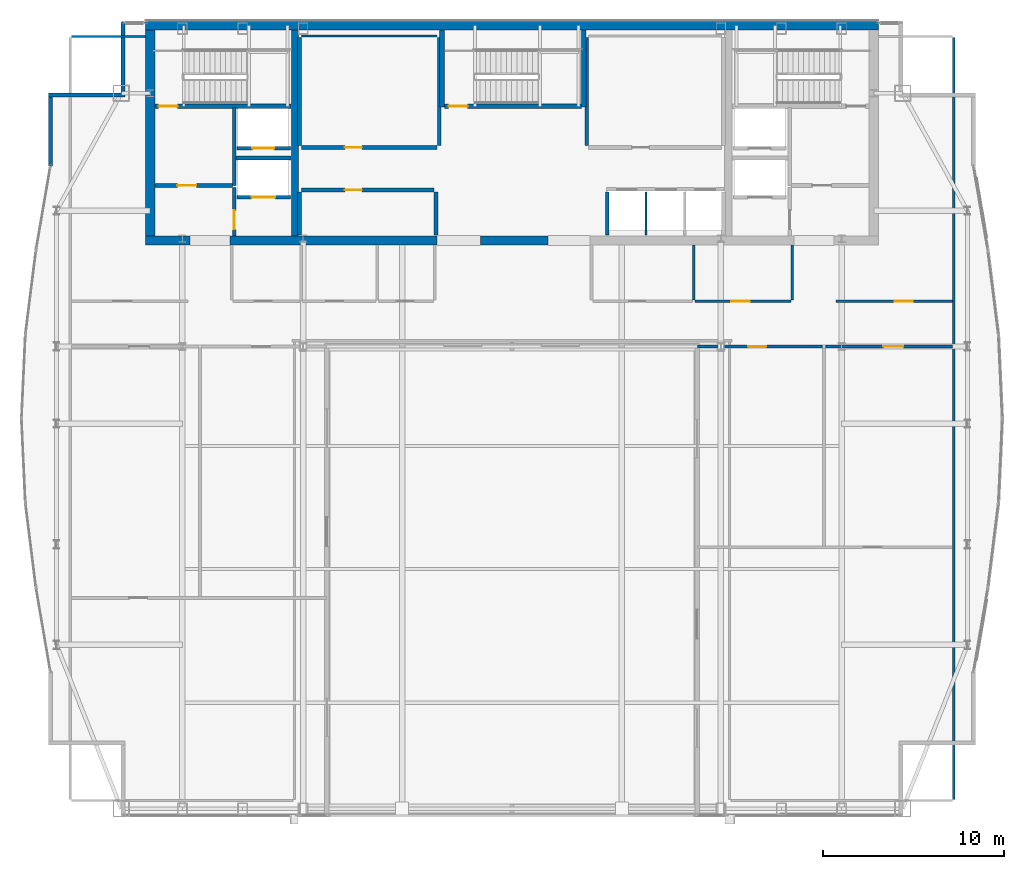
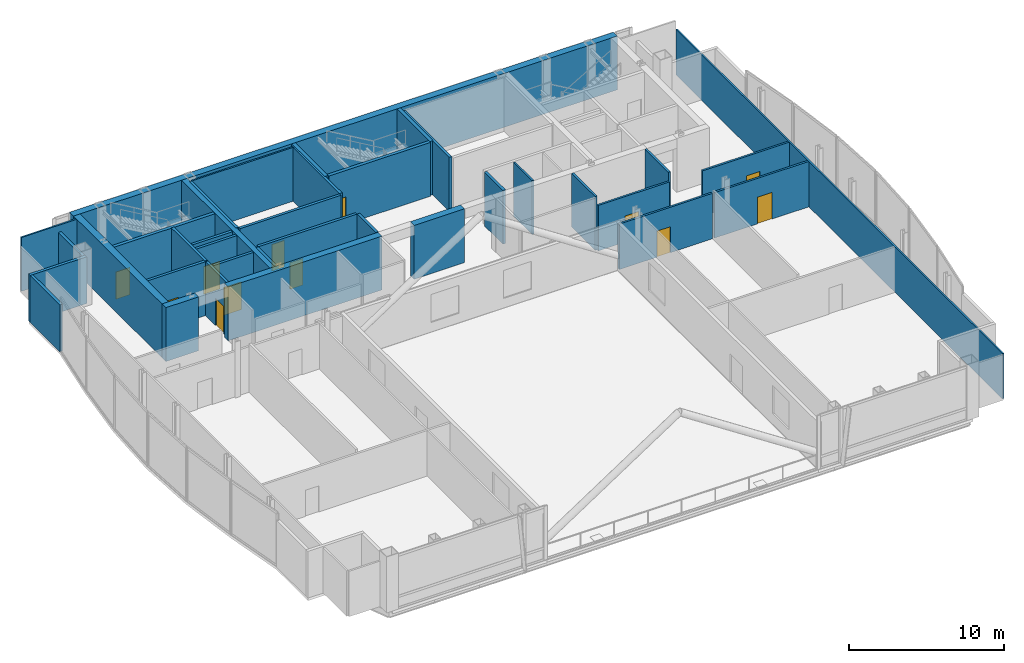
# One storey, part 23 of 27: 37 walls, 12 doors, 12 openings.
"""IFC4 building model written with IfcOpenShell, lengths in metres."""

from ifc_helpers import new_model, si_unit, direction, frame, frame_2d, origin, place, context, subcontext, project, spatial, rectangle, extrude, material, layer, layer_set, type_object, element, fill, save


model = new_model("IFC4")

# Units and contexts
model_context = context("Model", 3, precision=1e-05, world=origin(), true_north=direction((0.0, 1.0)))
body_context = subcontext(model_context, "Body", "Model", "MODEL_VIEW")
ifc_project = project(units=[si_unit("LENGTHUNIT", "METRE"), si_unit("AREAUNIT", "SQUARE_METRE"), si_unit("VOLUMEUNIT", "CUBIC_METRE"), si_unit("PLANEANGLEUNIT", "RADIAN"), si_unit("MASSUNIT", "GRAM", prefix="KILO")], contexts=[model_context])

# Site, building, storey
site_placement = place(None, origin())
site = spatial("IfcSite", under=ifc_project, at=site_placement, CompositionType="ELEMENT")
building_placement = place(site_placement, origin())
building = spatial("IfcBuilding", under=site, at=building_placement, Name="Khoronbel Lancet Exchange", CompositionType="ELEMENT")
storey_placement = place(building_placement, frame((0.0, 0.0, 305.800048828125)))
storey = spatial("IfcBuildingStorey", under=building, at=storey_placement, Name="L79", CompositionType="ELEMENT", Elevation=305.800048828125)

# Walls
ifc_material_1 = material(Name="Concrete C60/75", Category="concrete")
ifc_layer_1 = layer(ifc_material_1, 0.5, Name="Concrete C60/75")
ifc_layer_set_1 = layer_set([ifc_layer_1], Name="Concrete C60/75")
wall_type_1 = type_object("IfcWallType", Name="WL-CW4", PredefinedType="SHEAR", material=ifc_layer_set_1)
wall_1_placement = place(storey_placement, frame((16.199951171875, 53.449951171875, 0.0), z_axis=(0.0, 0.0, 1.0), x_axis=(1.0, 0.0, 0.0)))
element("IfcWall", 1, at=wall_1_placement, inside=storey, type_object=wall_type_1, Name="Level L79 rear core north shear wall", PredefinedType="SHEAR", context=body_context, shape_type="SweptSolid", body=[
    extrude(rectangle(XDim=40.5, YDim=0.5, at=frame_2d((20.25, 0.0))), origin(), (0.0, 0.0, 1.0), 4.239990234375),
])
wall_2_placement = place(storey_placement, frame((16.449951171875, 41.800048828125, 0.0), z_axis=(0.0, 0.0, 1.0), x_axis=(0.0, 1.0, 0.0)))
element("IfcWall", 2, at=wall_2_placement, inside=storey, type_object=wall_type_1, Name="Level L79 rear core west shear wall", PredefinedType="SHEAR", context=body_context, shape_type="SweptSolid", body=[
    extrude(rectangle(XDim=11.39990234375, YDim=0.5, at=frame_2d((5.699951171875, 0.0))), origin(), (0.0, 0.0, 1.0), 4.239990234375),
])
wall_3_placement = place(storey_placement, frame((18.64990234375, 41.550048828125, 0.0), z_axis=(0.0, 0.0, 1.0), x_axis=(-1.0, 0.0, 0.0)))
element("IfcWall", 3, at=wall_3_placement, inside=storey, type_object=wall_type_1, Name="Level L79 rear core south shear wall pier P1", PredefinedType="SHEAR", context=body_context, shape_type="SweptSolid", body=[
    extrude(rectangle(XDim=2.449951171875, YDim=0.5, at=frame_2d((1.22509765625, 0.0))), origin(), (0.0, 0.0, 1.0), 4.239990234375),
])
wall_4_placement = place(storey_placement, frame((32.300048828125, 41.550048828125, 0.0), z_axis=(0.0, 0.0, 1.0), x_axis=(-1.0, 0.0, 0.0)))
element("IfcWall", 4, at=wall_4_placement, inside=storey, type_object=wall_type_1, Name="Level L79 rear core south shear wall pier P2", PredefinedType="SHEAR", context=body_context, shape_type="SweptSolid", body=[
    extrude(rectangle(XDim=11.449951171875, YDim=0.5, at=frame_2d((5.72509765625, 0.0))), origin(), (0.0, 0.0, 1.0), 4.239990234375),
])
wall_5_placement = place(storey_placement, frame((38.449951171875, 41.550048828125, 0.0), z_axis=(0.0, 0.0, 1.0), x_axis=(-1.0, 0.0, 0.0)))
element("IfcWall", 5, at=wall_5_placement, inside=storey, type_object=wall_type_1, Name="Level L79 rear core south shear wall pier P3", PredefinedType="SHEAR", context=body_context, shape_type="SweptSolid", body=[
    extrude(rectangle(XDim=3.75, YDim=0.5, at=frame_2d((1.875, 0.0))), origin(), (0.0, 0.0, 1.0), 4.239990234375),
])
ifc_material_2 = material(Name="Precast concrete C40/50", Category="concrete")
ifc_layer_2 = layer(ifc_material_2, 0.25, Name="Precast concrete C40/50")
ifc_layer_set_2 = layer_set([ifc_layer_2], Name="Precast concrete C40/50")
wall_type_2 = type_object("IfcWallType", Name="WL-EXT250", PredefinedType="SOLIDWALL", material=ifc_layer_set_2)
wall_6_placement = place(storey_placement, frame((10.93994140625, 45.67236328125, 0.0), z_axis=(0.0, 0.0, 1.0), x_axis=(0.0, 1.0, 0.0)))
element("IfcWall", 6, at=wall_6_placement, inside=storey, type_object=wall_type_2, Name="Level L79 notched-corner limestone pier 10", PredefinedType="SOLIDWALL", context=body_context, shape_type="SweptSolid", body=[
    extrude(rectangle(XDim=3.82763671875, YDim=0.219970703125, at=frame_2d((1.913818359375, 0.0))), origin(), (0.0, 0.0, 1.0), 3.679931640625),
])
wall_7_placement = place(storey_placement, frame((10.830078125, 49.610107421875, 0.0), z_axis=(0.0, 0.0, 1.0), x_axis=(1.0, 0.0, 0.0)))
element("IfcWall", 7, at=wall_7_placement, inside=storey, type_object=wall_type_2, Name="Level L79 notched-corner limestone pier 11", PredefinedType="SOLIDWALL", context=body_context, shape_type="SweptSolid", body=[
    extrude(rectangle(XDim=4.219970703125, YDim=0.219970703125, at=frame_2d((2.10986328125, 0.0))), origin(), (0.0, 0.0, 1.0), 3.679931640625),
])
wall_8_placement = place(storey_placement, frame((14.93994140625, 49.719970703125, 0.0), z_axis=(0.0, 0.0, 1.0), x_axis=(0.0, 1.0, 0.0)))
element("IfcWall", 8, at=wall_8_placement, inside=storey, type_object=wall_type_2, Name="Level L79 notched-corner limestone pier 12", PredefinedType="SOLIDWALL", context=body_context, shape_type="SweptSolid", body=[
    extrude(rectangle(XDim=3.909912109375, YDim=0.219970703125, at=frame_2d((1.955078125, 0.0))), origin(), (0.0, 0.0, 1.0), 3.679931640625),
])
ifc_material_3 = material(Name="Acoustic Metal-Stud & Mineral-Wool Gypsum Partition 120 mm", Category="gypsum")
ifc_layer_3 = layer(ifc_material_3, 0.1201171875, Name="Acoustic Metal-Stud & Mineral-Wool Gypsum Partition 120 mm")
ifc_layer_set_3 = layer_set([ifc_layer_3], Name="Acoustic Metal-Stud & Mineral-Wool Gypsum Partition 120 mm")
wall_type_3 = type_object("IfcWallType", Name="WL-PRT120", PredefinedType="PARTITIONING", material=ifc_layer_set_3)
for number, where, z_axis, x_axis, name in (
    (9, (46.5, 38.280029296875, 0.0), (0.0, 0.0, 1.0), (0.0, 1.0, 0.0), "Level L79 interior partition PW-WP-NP"),
    (10, (51.949951171875, 38.280029296875, 0.0), (0.0, 0.0, 1.0), (0.0, 1.0, 0.0), "Level L79 interior partition PW-WP-NP1"),
):
    element("IfcWall", number, at=place(storey_placement, frame(where, z_axis=z_axis, x_axis=x_axis)), inside=storey, type_object=wall_type_3, Name=name, PredefinedType="PARTITIONING", context=body_context, shape_type="SweptSolid", body=[
        extrude(rectangle(XDim=3.02001953125, YDim=0.14990234375, at=frame_2d((1.510009765625, 0.0))), origin(), (0.0, 0.0, 1.0), 4.239990234375),
    ])
wall_9_placement = place(storey_placement, frame((60.8701171875, 10.6650390625, 0.0), z_axis=(0.0, 0.0, 1.0), x_axis=(0.0, 1.0, 0.0)))
element("IfcWall", 11, at=wall_9_placement, inside=storey, type_object=wall_type_3, Name="Level L79 interior partition PW-LIN-E", PredefinedType="PARTITIONING", context=body_context, shape_type="SweptSolid", body=[
    extrude(rectangle(XDim=42.10986328125, YDim=0.1201171875, at=frame_2d((21.054931640625, 0.0))), origin(), (0.0, 0.0, 1.0), 3.579833984375),
])
wall_10_placement = place(storey_placement, frame((12.094970703125, 52.840087890625, 0.0), z_axis=(0.0, 0.0, 1.0), x_axis=(1.0, 0.0, 0.0)))
element("IfcWall", 12, at=wall_10_placement, inside=storey, type_object=wall_type_3, Name="Level L79 interior partition PW-LIN-NW", PredefinedType="PARTITIONING", context=body_context, shape_type="SweptSolid", body=[
    extrude(rectangle(XDim=4.10498046875, YDim=0.1201171875, at=frame_2d((2.052490234375, 0.0))), origin(), (0.0, 0.0, 1.0), 4.239990234375),
])
ifc_material_4 = material(Name="Fire-Rated Metal-Stud & Mineral-Wool Gypsum Partition 120 mm", Category="gypsum")
ifc_layer_4 = layer(ifc_material_4, 0.1201171875, Name="Fire-Rated Metal-Stud & Mineral-Wool Gypsum Partition 120 mm")
ifc_layer_set_4 = layer_set([ifc_layer_4], Name="Fire-Rated Metal-Stud & Mineral-Wool Gypsum Partition 120 mm")
wall_type_4 = type_object("IfcWallType", Name="WL-PRT120F", PredefinedType="PARTITIONING", material=ifc_layer_set_4)
wall_11_placement = place(storey_placement, frame((24.804931640625, 52.860107421875, 0.0), z_axis=(0.0, 0.0, 1.0), x_axis=(1.0, 0.0, 0.0)))
element("IfcWall", 13, at=wall_11_placement, inside=storey, type_object=wall_type_4, Name="Level L79 interior partition CW-PL-RN", PredefinedType="PARTITIONING", context=body_context, shape_type="SweptSolid", body=[
    extrude(rectangle(XDim=7.510009765625, YDim=0.1201171875, at=frame_2d((3.7548828125, 0.0))), origin(), (0.0, 0.0, 1.0), 4.239990234375),
])
wall_12_placement = place(storey_placement, frame((43.860107421875, 41.85009765625, 0.0), z_axis=(0.0, 0.0, 1.0), x_axis=(0.0, 1.0, 0.0)))
element("IfcWall", 14, at=wall_12_placement, inside=storey, type_object=wall_type_4, Name="Level L79 interior partition CW-PX-D1", PredefinedType="PARTITIONING", context=body_context, shape_type="SweptSolid", body=[
    extrude(rectangle(XDim=2.39990234375, YDim=0.1201171875, at=frame_2d((1.199951171875, 0.0))), origin(), (0.0, 0.0, 1.0), 4.239990234375),
])

# Wall, opening, door
ifc_material_5 = material(Name="Fire-Rated Twin-Stud Acoustic Gypsum Partition 150 mm", Category="gypsum")
ifc_layer_5 = layer(ifc_material_5, 0.14990234375, Name="Fire-Rated Twin-Stud Acoustic Gypsum Partition 150 mm")
ifc_layer_set_5 = layer_set([ifc_layer_5], Name="Fire-Rated Twin-Stud Acoustic Gypsum Partition 150 mm")
wall_type_5 = type_object("IfcWallType", Name="WL-PRT150C", PredefinedType="PARTITIONING", material=ifc_layer_set_5)
wall_13_placement = place(storey_placement, frame((46.699951171875, 35.699951171875, 0.0), z_axis=(0.0, 0.0, 1.0), x_axis=(1.0, 0.0, 0.0)))
wall_13 = element("IfcWall", 15, at=wall_13_placement, inside=storey, type_object=wall_type_5, Name="Level L79 interior partition PW-WP-ES1", PredefinedType="PARTITIONING", context=body_context, shape_type="SweptSolid", body=[
    extrude(rectangle(XDim=6.920166015625, YDim=0.14990234375, at=frame_2d((3.4599609375, 0.0))), origin(), (0.0, 0.0, 1.0), 3.579833984375),
])
opening_1_placement = place(wall_13_placement, frame((2.800048828125, 0.0, 0.0)))
opening_1 = element("IfcOpeningElement", 16, at=opening_1_placement, cuts=wall_13, Name="Opening D2", PredefinedType="OPENING", context=body_context, shape_type="SweptSolid", body=[
    extrude(rectangle(XDim=1.0, YDim=2.050048828125, at=frame_2d((0.5, 1.02490234375))), frame((0.0, 0.0849609375, 0.0), z_axis=(0.0, -1.0, 0.0), x_axis=(1.0, 0.0, 0.0)), (0.0, 0.0, 1.0), 0.169921875),
])
ifc_material_6 = material(Name="Acoustic Veneered Timber & Bronze Frame Door", Category="wood")
door_type_1 = type_object("IfcDoorType", Name="DR-D2", OperationType="NOTDEFINED", PredefinedType="DOOR", material=ifc_material_6)
door_1_placement = place(opening_1_placement, origin())
door_1 = element("IfcDoor", 17, at=door_1_placement, inside=storey, type_object=door_type_1, Name="Portal east boardroom door L79-1", OperationType="SINGLE_SWING_RIGHT", OverallHeight=2.050048828125, OverallWidth=1.0, PredefinedType="DOOR", context=body_context, shape_type="SweptSolid", body=[
    extrude(rectangle(XDim=1.0, YDim=2.050048828125, at=frame_2d((0.5, 1.02490234375))), frame((0.0, 0.02490234375, 0.0), z_axis=(0.0, -1.0, 0.0), x_axis=(1.0, 0.0, 0.0)), (0.0, 0.0, 1.0), 0.050048828125),
])
fill(opening_1, door_1)

wall_14_placement = place(storey_placement, frame((53.780029296875, 35.699951171875, 0.0), z_axis=(0.0, 0.0, 1.0), x_axis=(1.0, 0.0, 0.0)))
wall_14 = element("IfcWall", 18, at=wall_14_placement, inside=storey, type_object=wall_type_5, Name="Level L79 interior partition PW-WP-ES2", PredefinedType="PARTITIONING", context=body_context, shape_type="SweptSolid", body=[
    extrude(rectangle(XDim=7.02490234375, YDim=0.14990234375, at=frame_2d((3.512451171875, 0.0))), origin(), (0.0, 0.0, 1.0), 3.579833984375),
])
opening_2_placement = place(wall_14_placement, frame((3.199951171875, 0.0, 0.0)))
opening_2 = element("IfcOpeningElement", 19, at=opening_2_placement, cuts=wall_14, Name="Opening D6", PredefinedType="OPENING", context=body_context, shape_type="SweptSolid", body=[
    extrude(rectangle(XDim=1.10009765625, YDim=2.10009765625, at=frame_2d((0.550048828125, 1.050048828125))), frame((0.0, 0.0849609375, 0.0), z_axis=(0.0, -1.0, 0.0), x_axis=(1.0, 0.0, 0.0)), (0.0, 0.0, 1.0), 0.169921875),
])
ifc_material_7 = material(Name="Acoustic Bronze-Veneer Executive Suite Door", Category="wood")
door_type_2 = type_object("IfcDoorType", Name="DR-D6", OperationType="NOTDEFINED", PredefinedType="DOOR", material=ifc_material_7)
door_2_placement = place(opening_2_placement, origin())
door_2 = element("IfcDoor", 20, at=door_2_placement, inside=storey, type_object=door_type_2, Name="Portal east sovereign salon door L79-1", OperationType="SINGLE_SWING_LEFT", OverallHeight=2.10009765625, OverallWidth=1.10009765625, PredefinedType="DOOR", context=body_context, shape_type="SweptSolid", body=[
    extrude(rectangle(XDim=1.10009765625, YDim=2.10009765625, at=frame_2d((0.550048828125, 1.050048828125))), frame((0.0, 0.02490234375, 0.0), z_axis=(0.0, -1.0, 0.0), x_axis=(1.0, 0.0, 0.0)), (0.0, 0.0, 1.0), 0.050048828125),
])
fill(opening_2, door_2)

wall_15_placement = place(storey_placement, frame((46.580078125, 38.199951171875, 0.0), z_axis=(0.0, 0.0, 1.0), x_axis=(1.0, 0.0, 0.0)))
wall_15 = element("IfcWall", 21, at=wall_15_placement, inside=storey, type_object=wall_type_5, Name="Level L79 interior partition PW-WP-NPS2", PredefinedType="PARTITIONING", context=body_context, shape_type="SweptSolid", body=[
    extrude(rectangle(XDim=5.2900390625, YDim=0.14990234375, at=frame_2d((2.64501953125, 0.0))), origin(), (0.0, 0.0, 1.0), 3.579833984375),
])
opening_3_placement = place(wall_15_placement, frame((2.0, 0.0, 0.0)))
opening_3 = element("IfcOpeningElement", 22, at=opening_3_placement, cuts=wall_15, Name="Opening D2", PredefinedType="OPENING", context=body_context, shape_type="SweptSolid", body=[
    extrude(rectangle(XDim=1.0, YDim=2.050048828125, at=frame_2d((0.5, 1.02490234375))), frame((0.0, 0.0849609375, 0.0), z_axis=(0.0, -1.0, 0.0), x_axis=(1.0, 0.0, 0.0)), (0.0, 0.0, 1.0), 0.169921875),
])
door_3_placement = place(opening_3_placement, origin())
door_3 = element("IfcDoor", 23, at=door_3_placement, inside=storey, type_object=door_type_1, Name="Briefing room door L79-1", OperationType="SINGLE_SWING_LEFT", OverallHeight=2.050048828125, OverallWidth=1.0, PredefinedType="DOOR", context=body_context, shape_type="SweptSolid", body=[
    extrude(rectangle(XDim=1.0, YDim=2.050048828125, at=frame_2d((0.5, 1.02490234375))), frame((0.0, 0.02490234375, 0.0), z_axis=(0.0, -1.0, 0.0), x_axis=(1.0, 0.0, 0.0)), (0.0, 0.0, 1.0), 0.050048828125),
])
fill(opening_3, door_3)

wall_16_placement = place(storey_placement, frame((54.35009765625, 38.199951171875, 0.0), z_axis=(0.0, 0.0, 1.0), x_axis=(1.0, 0.0, 0.0)))
wall_16 = element("IfcWall", 24, at=wall_16_placement, inside=storey, type_object=wall_type_5, Name="Level L79 interior partition PW-WP-NE", PredefinedType="PARTITIONING", context=body_context, shape_type="SweptSolid", body=[
    extrude(rectangle(XDim=6.454833984375, YDim=0.14990234375, at=frame_2d((3.2275390625, 0.0))), origin(), (0.0, 0.0, 1.0), 3.579833984375),
])
opening_4_placement = place(wall_16_placement, frame((3.25, 0.0, 0.0)))
opening_4 = element("IfcOpeningElement", 25, at=opening_4_placement, cuts=wall_16, Name="Opening D2", PredefinedType="OPENING", context=body_context, shape_type="SweptSolid", body=[
    extrude(rectangle(XDim=1.0, YDim=2.050048828125, at=frame_2d((0.5, 1.02490234375))), frame((0.0, 0.0849609375, 0.0), z_axis=(0.0, -1.0, 0.0), x_axis=(1.0, 0.0, 0.0)), (0.0, 0.0, 1.0), 0.169921875),
])
door_4_placement = place(opening_4_placement, origin())
door_4 = element("IfcDoor", 26, at=door_4_placement, inside=storey, type_object=door_type_1, Name="NE suite door L79-1", OperationType="SINGLE_SWING_LEFT", OverallHeight=2.050048828125, OverallWidth=1.0, PredefinedType="DOOR", context=body_context, shape_type="SweptSolid", body=[
    extrude(rectangle(XDim=1.0, YDim=2.050048828125, at=frame_2d((0.5, 1.02490234375))), frame((0.0, 0.02490234375, 0.0), z_axis=(0.0, -1.0, 0.0), x_axis=(1.0, 0.0, 0.0)), (0.0, 0.0, 1.0), 0.050048828125),
])
fill(opening_4, door_4)

ifc_material_8 = material(Name="Autoclaved Aerated Concrete Blockwork 200 mm", Category="masonry")
ifc_layer_6 = layer(ifc_material_8, 0.199951171875, Name="Autoclaved Aerated Concrete Blockwork 200 mm")
ifc_layer_set_6 = layer_set([ifc_layer_6], Name="Autoclaved Aerated Concrete Blockwork 200 mm")
wall_type_6 = type_object("IfcWallType", Name="WL-PRT200", PredefinedType="PARTITIONING", material=ifc_layer_set_6)
wall_17_placement = place(storey_placement, frame((24.2099609375, 43.949951171875, 0.0), z_axis=(0.0, 0.0, 1.0), x_axis=(-1.0, 0.0, 0.0)))
wall_17 = element("IfcWall", 27, at=wall_17_placement, inside=storey, type_object=wall_type_6, Name="Level L79 elevator hoistway landing front wall SVLW", PredefinedType="PARTITIONING", context=body_context, shape_type="SweptSolid", body=[
    extrude(rectangle(XDim=2.969970703125, YDim=0.199951171875, at=frame_2d((1.48486328125, 0.0))), origin(), (0.0, 0.0, 1.0), 4.239990234375),
])
opening_5_placement = place(wall_17_placement, frame((0.860107421875, 0.0, 0.0)))
opening_5 = element("IfcOpeningElement", 28, at=opening_5_placement, cuts=wall_17, Name="Opening LD-SVL1", PredefinedType="OPENING", context=body_context, shape_type="SweptSolid", body=[
    extrude(rectangle(XDim=1.300048828125, YDim=2.179931640625, at=frame_2d((0.64990234375, 1.08984375))), frame((0.0, 0.10986328125, 0.0), z_axis=(0.0, -1.0, 0.0), x_axis=(1.0, 0.0, 0.0)), (0.0, 0.0, 1.0), 0.219970703125),
])
ifc_material_9 = material(Name="Heavy-Duty Bi-Parting Goods Lift Landing Door", Category="steel")
door_type_3 = type_object("IfcDoorType", Name="DR-LD-SVL", OperationType="NOTDEFINED", PredefinedType="DOOR", material=ifc_material_9)
door_5_placement = place(opening_5_placement, origin())
door_5 = element("IfcDoor", 29, at=door_5_placement, inside=storey, type_object=door_type_3, Name="Elevator landing sliding door LD-SVL1 L79", OperationType="SLIDING_TO_LEFT", OverallHeight=2.179931640625, OverallWidth=1.300048828125, PredefinedType="DOOR", context=body_context, shape_type="SweptSolid", body=[
    extrude(rectangle(XDim=1.300048828125, YDim=2.179931640625, at=frame_2d((0.64990234375, 1.08984375))), frame((0.0, 0.02490234375, 0.0), z_axis=(0.0, -1.0, 0.0), x_axis=(1.0, 0.0, 0.0)), (0.0, 0.0, 1.0), 0.050048828125),
])
fill(opening_5, door_5)

wall_18_placement = place(storey_placement, frame((24.2099609375, 46.64990234375, 0.0), z_axis=(0.0, 0.0, 1.0), x_axis=(-1.0, 0.0, 0.0)))
wall_18 = element("IfcWall", 30, at=wall_18_placement, inside=storey, type_object=wall_type_6, Name="Level L79 elevator hoistway landing front wall FFLW", PredefinedType="PARTITIONING", context=body_context, shape_type="SweptSolid", body=[
    extrude(rectangle(XDim=2.969970703125, YDim=0.199951171875, at=frame_2d((1.48486328125, 0.0))), origin(), (0.0, 0.0, 1.0), 4.239990234375),
])
opening_6_placement = place(wall_18_placement, frame((0.909912109375, 0.0, 0.0)))
opening_6 = element("IfcOpeningElement", 31, at=opening_6_placement, cuts=wall_18, Name="Opening LD-FFL1", PredefinedType="OPENING", context=body_context, shape_type="SweptSolid", body=[
    extrude(rectangle(XDim=1.199951171875, YDim=2.179931640625, at=frame_2d((0.60009765625, 1.08984375))), frame((0.0, 0.10986328125, 0.0), z_axis=(0.0, -1.0, 0.0), x_axis=(1.0, 0.0, 0.0)), (0.0, 0.0, 1.0), 0.219970703125),
])
ifc_material_10 = material(Name="Fire-Rated Stainless Bi-Parting Firefighting Lift Door", Category="steel")
door_type_4 = type_object("IfcDoorType", Name="DR-LD-FFL", OperationType="NOTDEFINED", PredefinedType="DOOR", material=ifc_material_10)
door_6_placement = place(opening_6_placement, origin())
door_6 = element("IfcDoor", 32, at=door_6_placement, inside=storey, type_object=door_type_4, Name="Elevator landing sliding door LD-FFL1 L79", OperationType="SLIDING_TO_LEFT", OverallHeight=2.179931640625, OverallWidth=1.199951171875, PredefinedType="DOOR", context=body_context, shape_type="SweptSolid", body=[
    extrude(rectangle(XDim=1.199951171875, YDim=2.179931640625, at=frame_2d((0.60009765625, 1.08984375))), frame((0.0, 0.02490234375, 0.0), z_axis=(0.0, -1.0, 0.0), x_axis=(1.0, 0.0, 0.0)), (0.0, 0.0, 1.0), 0.050048828125),
])
fill(opening_6, door_6)

# Wall
wall_19_placement = place(storey_placement, frame((21.10009765625, 44.60009765625, 0.0), z_axis=(0.0, 0.0, 1.0), x_axis=(0.0, 1.0, 0.0)))
element("IfcWall", 33, at=wall_19_placement, inside=storey, type_object=wall_type_6, Name="Level L79 interior partition CW-FFLW-E", PredefinedType="PARTITIONING", context=body_context, shape_type="SweptSolid", body=[
    extrude(rectangle(XDim=4.2998046875, YDim=0.199951171875, at=frame_2d((2.14990234375, 0.0))), origin(), (0.0, 0.0, 1.0), 4.239990234375),
])

# Wall, opening, door
wall_20_placement = place(storey_placement, frame((16.699951171875, 44.60009765625, 0.0), z_axis=(0.0, 0.0, 1.0), x_axis=(1.0, 0.0, 0.0)))
wall_20 = element("IfcWall", 34, at=wall_20_placement, inside=storey, type_object=wall_type_6, Name="Level L79 interior partition CW-FFLW-S", PredefinedType="PARTITIONING", context=body_context, shape_type="SweptSolid", body=[
    extrude(rectangle(XDim=4.300048828125, YDim=0.199951171875, at=frame_2d((2.14990234375, 0.0))), origin(), (0.0, 0.0, 1.0), 4.239990234375),
])
opening_7_placement = place(wall_20_placement, frame((1.25, 0.0, 0.0)))
opening_7 = element("IfcOpeningElement", 35, at=opening_7_placement, cuts=wall_20, Name="Opening FD1", PredefinedType="OPENING", context=body_context, shape_type="SweptSolid", body=[
    extrude(rectangle(XDim=1.050048828125, YDim=2.14990234375, at=frame_2d((0.52490234375, 1.074951171875))), frame((0.0, 0.10986328125, 0.0), z_axis=(0.0, -1.0, 0.0), x_axis=(1.0, 0.0, 0.0)), (0.0, 0.0, 1.0), 0.219970703125),
])
ifc_material_11 = material(Name="Fire-Rated Painted Steel Door Assembly", Category="steel")
door_type_5 = type_object("IfcDoorType", Name="DR-FD1", OperationType="NOTDEFINED", PredefinedType="DOOR", material=ifc_material_11)
door_7_placement = place(opening_7_placement, origin())
door_7 = element("IfcDoor", 36, at=door_7_placement, inside=storey, type_object=door_type_5, Name="West firefighting lobby FD90S door L79-1", OperationType="SINGLE_SWING_RIGHT", OverallHeight=2.14990234375, OverallWidth=1.050048828125, PredefinedType="DOOR", context=body_context, shape_type="SweptSolid", body=[
    extrude(rectangle(XDim=1.050048828125, YDim=2.14990234375, at=frame_2d((0.52490234375, 1.074951171875))), frame((0.0, 0.02490234375, 0.0), z_axis=(0.0, -1.0, 0.0), x_axis=(1.0, 0.0, 0.0)), (0.0, 0.0, 1.0), 0.050048828125),
])
fill(opening_7, door_7)

# Wall
wall_21_placement = place(storey_placement, frame((21.199951171875, 46.1201171875, 0.0), z_axis=(0.0, 0.0, 1.0), x_axis=(1.0, 0.0, 0.0)))
element("IfcWall", 37, at=wall_21_placement, inside=storey, type_object=wall_type_6, Name="Level L79 interior partition CW-FFL1-S", PredefinedType="PARTITIONING", context=body_context, shape_type="SweptSolid", body=[
    extrude(rectangle(XDim=3.02001953125, YDim=0.199951171875, at=frame_2d((1.510009765625, 0.0))), origin(), (0.0, 0.0, 1.0), 4.239990234375),
])

# Wall, opening, door
wall_22_placement = place(storey_placement, frame((21.10009765625, 41.800048828125, 0.0), z_axis=(0.0, 0.0, 1.0), x_axis=(0.0, 1.0, 0.0)))
wall_22 = element("IfcWall", 38, at=wall_22_placement, inside=storey, type_object=wall_type_6, Name="Level L79 interior partition CW-SVLW-W", PredefinedType="PARTITIONING", context=body_context, shape_type="SweptSolid", body=[
    extrude(rectangle(XDim=2.695068359375, YDim=0.199951171875, at=frame_2d((1.34765625, 0.0))), origin(), (0.0, 0.0, 1.0), 4.239990234375),
])
opening_8_placement = place(wall_22_placement, frame((0.3798828125, 0.0, 0.0)))
opening_8 = element("IfcOpeningElement", 39, at=opening_8_placement, cuts=wall_22, Name="Opening FD1", PredefinedType="OPENING", context=body_context, shape_type="SweptSolid", body=[
    extrude(rectangle(XDim=1.050048828125, YDim=2.14990234375, at=frame_2d((0.52490234375, 1.074951171875))), frame((0.0, 0.10986328125, 0.0), z_axis=(0.0, -1.0, 0.0), x_axis=(1.0, 0.0, 0.0)), (0.0, 0.0, 1.0), 0.219970703125),
])
door_8_placement = place(opening_8_placement, origin())
door_8 = element("IfcDoor", 40, at=door_8_placement, inside=storey, type_object=door_type_5, Name="West service lift lobby door L79-1", OperationType="SINGLE_SWING_LEFT", OverallHeight=2.14990234375, OverallWidth=1.050048828125, PredefinedType="DOOR", context=body_context, shape_type="SweptSolid", body=[
    extrude(rectangle(XDim=1.050048828125, YDim=2.14990234375, at=frame_2d((0.52490234375, 1.074951171875))), frame((0.0, 0.02490234375, 0.0), z_axis=(0.0, -1.0, 0.0), x_axis=(1.0, 0.0, 0.0)), (0.0, 0.0, 1.0), 0.050048828125),
])
fill(opening_8, door_8)

# Walls
for number, where, z_axis, x_axis, name in (
    (41, (24.699951171875, 46.804931640625, 0.0), (0.0, 0.0, 1.0), (0.0, 1.0, 0.0), "Level L79 interior partition CW-PL-RW"),
    (42, (32.419921875, 46.804931640625, 0.0), (0.0, 0.0, 1.0), (0.0, 1.0, 0.0), "Level L79 interior partition CW-PL-RE"),
):
    element("IfcWall", number, at=place(storey_placement, frame(where, z_axis=z_axis, x_axis=x_axis)), inside=storey, type_object=wall_type_6, Name=name, PredefinedType="PARTITIONING", context=body_context, shape_type="SweptSolid", body=[
        extrude(rectangle(XDim=5.989990234375, YDim=0.199951171875, at=frame_2d((2.9951171875, 0.0))), origin(), (0.0, 0.0, 1.0), 4.239990234375),
    ])

# Wall, opening, door
wall_23_placement = place(storey_placement, frame((24.804931640625, 46.699951171875, 0.0), z_axis=(0.0, 0.0, 1.0), x_axis=(1.0, 0.0, 0.0)))
wall_23 = element("IfcWall", 43, at=wall_23_placement, inside=storey, type_object=wall_type_6, Name="Level L79 interior partition CW-PL-RF", PredefinedType="PARTITIONING", context=body_context, shape_type="SweptSolid", body=[
    extrude(rectangle(XDim=7.510009765625, YDim=0.199951171875, at=frame_2d((3.7548828125, 0.0))), origin(), (0.0, 0.0, 1.0), 4.239990234375),
])
opening_9_placement = place(wall_23_placement, frame((2.39990234375, 0.0, 0.0)))
opening_9 = element("IfcOpeningElement", 44, at=opening_9_placement, cuts=wall_23, Name="Opening FD3", PredefinedType="OPENING", context=body_context, shape_type="SweptSolid", body=[
    extrude(rectangle(XDim=0.949951171875, YDim=2.10009765625, at=frame_2d((0.47509765625, 1.050048828125))), frame((0.0, 0.10986328125, 0.0), z_axis=(0.0, -1.0, 0.0), x_axis=(1.0, 0.0, 0.0)), (0.0, 0.0, 1.0), 0.219970703125),
])
ifc_material_12 = material(Name="Fire-Rated Steel Plant & Riser Door Assembly", Category="steel")
door_type_6 = type_object("IfcDoorType", Name="DR-FD3", OperationType="NOTDEFINED", PredefinedType="DOOR", material=ifc_material_12)
door_9_placement = place(opening_9_placement, origin())
door_9 = element("IfcDoor", 45, at=door_9_placement, inside=storey, type_object=door_type_6, Name="Reclaimed PL room door L79-1", OperationType="SINGLE_SWING_RIGHT", OverallHeight=2.10009765625, OverallWidth=0.949951171875, PredefinedType="DOOR", context=body_context, shape_type="SweptSolid", body=[
    extrude(rectangle(XDim=0.949951171875, YDim=2.10009765625, at=frame_2d((0.47509765625, 1.050048828125))), frame((0.0, 0.02490234375, 0.0), z_axis=(0.0, -1.0, 0.0), x_axis=(1.0, 0.0, 0.0)), (0.0, 0.0, 1.0), 0.050048828125),
])
fill(opening_9, door_9)

# Walls
for number, where, z_axis, x_axis, name in (
    (46, (24.699951171875, 41.85009765625, 0.0), (0.0, 0.0, 1.0), (0.0, 1.0, 0.0), "Level L79 interior partition CW-PM-RW"),
    (47, (32.25, 41.85009765625, 0.0), (0.0, 0.0, 1.0), (0.0, 1.0, 0.0), "Level L79 interior partition CW-PM-RE"),
):
    element("IfcWall", number, at=place(storey_placement, frame(where, z_axis=z_axis, x_axis=x_axis)), inside=storey, type_object=wall_type_6, Name=name, PredefinedType="PARTITIONING", context=body_context, shape_type="SweptSolid", body=[
        extrude(rectangle(XDim=2.39501953125, YDim=0.199951171875, at=frame_2d((1.197509765625, 0.0))), origin(), (0.0, 0.0, 1.0), 4.239990234375),
    ])

# Wall, opening, door
wall_24_placement = place(storey_placement, frame((24.804931640625, 44.35009765625, 0.0), z_axis=(0.0, 0.0, 1.0), x_axis=(1.0, 0.0, 0.0)))
wall_24 = element("IfcWall", 48, at=wall_24_placement, inside=storey, type_object=wall_type_6, Name="Level L79 interior partition CW-PM-RF", PredefinedType="PARTITIONING", context=body_context, shape_type="SweptSolid", body=[
    extrude(rectangle(XDim=7.340087890625, YDim=0.199951171875, at=frame_2d((3.669921875, 0.0))), origin(), (0.0, 0.0, 1.0), 4.239990234375),
])
opening_10_placement = place(wall_24_placement, frame((2.39990234375, 0.0, 0.0)))
opening_10 = element("IfcOpeningElement", 49, at=opening_10_placement, cuts=wall_24, Name="Opening FD3", PredefinedType="OPENING", context=body_context, shape_type="SweptSolid", body=[
    extrude(rectangle(XDim=0.949951171875, YDim=2.10009765625, at=frame_2d((0.47509765625, 1.050048828125))), frame((0.0, 0.10986328125, 0.0), z_axis=(0.0, -1.0, 0.0), x_axis=(1.0, 0.0, 0.0)), (0.0, 0.0, 1.0), 0.219970703125),
])
door_10_placement = place(opening_10_placement, origin())
door_10 = element("IfcDoor", 50, at=door_10_placement, inside=storey, type_object=door_type_6, Name="Reclaimed PM room door L79-1", OperationType="SINGLE_SWING_LEFT", OverallHeight=2.10009765625, OverallWidth=0.949951171875, PredefinedType="DOOR", context=body_context, shape_type="SweptSolid", body=[
    extrude(rectangle(XDim=0.949951171875, YDim=2.10009765625, at=frame_2d((0.47509765625, 1.050048828125))), frame((0.0, 0.02490234375, 0.0), z_axis=(0.0, -1.0, 0.0), x_axis=(1.0, 0.0, 0.0)), (0.0, 0.0, 1.0), 0.050048828125),
])
fill(opening_10, door_10)

# Walls
wall_25_placement = place(storey_placement, frame((40.580078125, 46.804931640625, 0.0), z_axis=(0.0, 0.0, 1.0), x_axis=(0.0, 1.0, 0.0)))
element("IfcWall", 51, at=wall_25_placement, inside=storey, type_object=wall_type_6, Name="Level L79 interior partition CW-PH-RW", PredefinedType="PARTITIONING", context=body_context, shape_type="SweptSolid", body=[
    extrude(rectangle(XDim=5.989990234375, YDim=0.199951171875, at=frame_2d((2.9951171875, 0.0))), origin(), (0.0, 0.0, 1.0), 4.239990234375),
])
wall_26_placement = place(storey_placement, frame((41.719970703125, 41.85009765625, 0.0), z_axis=(0.0, 0.0, 1.0), x_axis=(0.0, 1.0, 0.0)))
element("IfcWall", 52, at=wall_26_placement, inside=storey, type_object=wall_type_6, Name="Level L79 interior partition CW-PX-W", PredefinedType="PARTITIONING", context=body_context, shape_type="SweptSolid", body=[
    extrude(rectangle(XDim=2.39990234375, YDim=0.199951171875, at=frame_2d((1.199951171875, 0.0))), origin(), (0.0, 0.0, 1.0), 4.239990234375),
])
ifc_layer_7 = layer(ifc_material_1, 0.39990234375, Name="Concrete C60/75")
ifc_layer_set_7 = layer_set([ifc_layer_7], Name="Concrete C60/75")
wall_type_7 = type_object("IfcWallType", Name="WL-SW2", PredefinedType="SHEAR", material=ifc_layer_set_7)
wall_27_placement = place(storey_placement, frame((24.449951171875, 41.800048828125, 0.0), z_axis=(0.0, 0.0, 1.0), x_axis=(0.0, 1.0, 0.0)))
element("IfcWall", 53, at=wall_27_placement, inside=storey, type_object=wall_type_7, Name="Level L79 rear core internal spine shear wall IW", PredefinedType="SHEAR", context=body_context, shape_type="SweptSolid", body=[
    extrude(rectangle(XDim=11.39990234375, YDim=0.39990234375, at=frame_2d((5.699951171875, 0.0))), origin(), (0.0, 0.0, 1.0), 4.239990234375),
])
ifc_layer_8 = layer(ifc_material_1, 0.260009765625, Name="Concrete C60/75")
ifc_layer_set_8 = layer_set([ifc_layer_8], Name="Concrete C60/75")
wall_type_8 = type_object("IfcWallType", Name="WL-SW3", PredefinedType="SHEAR", material=ifc_layer_set_8)
for number, where, z_axis, x_axis, name in (
    (54, (32.580078125, 48.949951171875, 0.0), (0.0, 0.0, 1.0), (0.0, 1.0, 0.0), "Level L79 central stairwell structural shear wall ST3W"),
    (55, (40.419921875, 48.949951171875, 0.0), (0.0, 0.0, 1.0), (0.0, 1.0, 0.0), "Level L79 central stairwell structural shear wall ST3E"),
):
    element("IfcWall", number, at=place(storey_placement, frame(where, z_axis=z_axis, x_axis=x_axis)), inside=storey, type_object=wall_type_8, Name=name, PredefinedType="SHEAR", context=body_context, shape_type="SweptSolid", body=[
        extrude(rectangle(XDim=4.25, YDim=0.260009765625, at=frame_2d((2.125, 0.0))), origin(), (0.0, 0.0, 1.0), 4.239990234375),
    ])

# Wall, opening, door
wall_28_placement = place(storey_placement, frame((16.699951171875, 48.97998046875, 0.0), z_axis=(0.0, 0.0, 1.0), x_axis=(1.0, 0.0, 0.0)))
wall_28 = element("IfcWall", 56, at=wall_28_placement, inside=storey, type_object=wall_type_8, Name="Level L79 west stairwell structural south wall", PredefinedType="SHEAR", context=body_context, shape_type="SweptSolid", body=[
    extrude(rectangle(XDim=7.52001953125, YDim=0.239990234375, at=frame_2d((3.760009765625, 0.0))), origin(), (0.0, 0.0, 1.0), 4.239990234375),
])
opening_11_placement = place(wall_28_placement, frame((0.219970703125, 0.0, 0.0)))
opening_11 = element("IfcOpeningElement", 57, at=opening_11_placement, cuts=wall_28, Name="Opening SD1", PredefinedType="OPENING", context=body_context, shape_type="SweptSolid", body=[
    extrude(rectangle(XDim=1.050048828125, YDim=2.14990234375, at=frame_2d((0.52490234375, 1.074951171875))), frame((0.0, 0.1298828125, 0.0), z_axis=(0.0, -1.0, 0.0), x_axis=(1.0, 0.0, 0.0)), (0.0, 0.0, 1.0), 0.260009765625),
])
ifc_material_13 = material(Name="Fire-Rated Steel Stairwell Door Assembly", Category="steel")
door_type_7 = type_object("IfcDoorType", Name="DR-SD1", OperationType="NOTDEFINED", PredefinedType="DOOR", material=ifc_material_13)
door_11_placement = place(opening_11_placement, origin())
door_11 = element("IfcDoor", 58, at=door_11_placement, inside=storey, type_object=door_type_7, Name="Protected exit stair ST1 door L79", OperationType="SINGLE_SWING_LEFT", OverallHeight=2.14990234375, OverallWidth=1.050048828125, PredefinedType="DOOR", context=body_context, shape_type="SweptSolid", body=[
    extrude(rectangle(XDim=1.050048828125, YDim=2.14990234375, at=frame_2d((0.52490234375, 1.074951171875))), frame((0.0, 0.02490234375, 0.0), z_axis=(0.0, -1.0, 0.0), x_axis=(1.0, 0.0, 0.0)), (0.0, 0.0, 1.0), 0.050048828125),
])
fill(opening_11, door_11)

wall_29_placement = place(storey_placement, frame((32.719970703125, 48.97998046875, 0.0), z_axis=(0.0, 0.0, 1.0), x_axis=(1.0, 0.0, 0.0)))
wall_29 = element("IfcWall", 59, at=wall_29_placement, inside=storey, type_object=wall_type_8, Name="Level L79 central stairwell structural south wall", PredefinedType="SHEAR", context=body_context, shape_type="SweptSolid", body=[
    extrude(rectangle(XDim=7.56005859375, YDim=0.239990234375, at=frame_2d((3.780029296875, 0.0))), origin(), (0.0, 0.0, 1.0), 4.239990234375),
])
opening_12_placement = place(wall_29_placement, frame((0.219970703125, 0.0, 0.0)))
opening_12 = element("IfcOpeningElement", 60, at=opening_12_placement, cuts=wall_29, Name="Opening SD1", PredefinedType="OPENING", context=body_context, shape_type="SweptSolid", body=[
    extrude(rectangle(XDim=1.050048828125, YDim=2.14990234375, at=frame_2d((0.52490234375, 1.074951171875))), frame((0.0, 0.1298828125, 0.0), z_axis=(0.0, -1.0, 0.0), x_axis=(1.0, 0.0, 0.0)), (0.0, 0.0, 1.0), 0.260009765625),
])
door_12_placement = place(opening_12_placement, origin())
door_12 = element("IfcDoor", 61, at=door_12_placement, inside=storey, type_object=door_type_7, Name="Protected exit stair ST3 door L79", OperationType="SINGLE_SWING_LEFT", OverallHeight=2.14990234375, OverallWidth=1.050048828125, PredefinedType="DOOR", context=body_context, shape_type="SweptSolid", body=[
    extrude(rectangle(XDim=1.050048828125, YDim=2.14990234375, at=frame_2d((0.52490234375, 1.074951171875))), frame((0.0, 0.02490234375, 0.0), z_axis=(0.0, -1.0, 0.0), x_axis=(1.0, 0.0, 0.0)), (0.0, 0.0, 1.0), 0.050048828125),
])
fill(opening_12, door_12)

save(model, "model.ifc")
